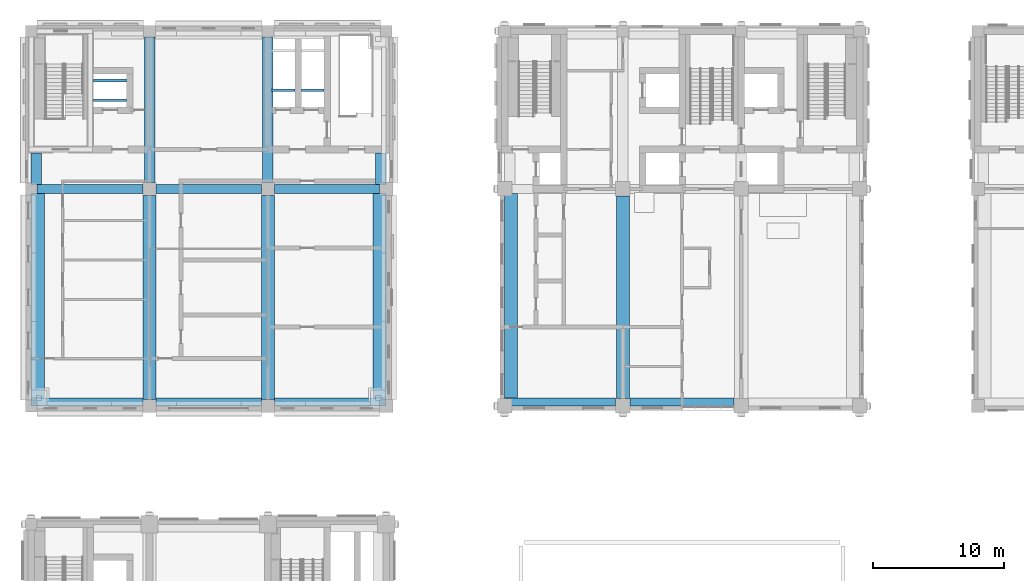
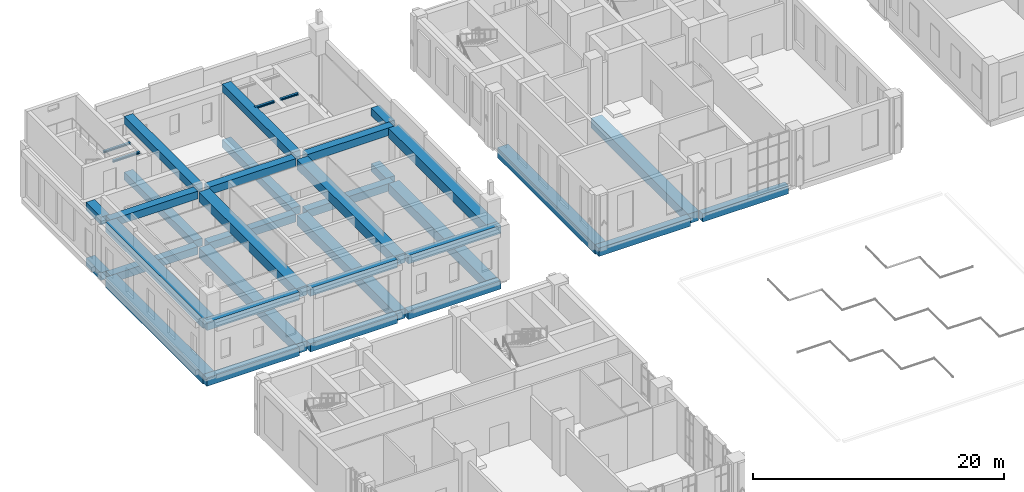
# One storey, part 4 of 37: 36 beams.
"""IFC4 building model written with IfcOpenShell, lengths in metres."""

from ifc_helpers import new_model, si_unit, direction, frame, origin, origin_2d, place, context, subcontext, project, spatial, rectangle, i_section, extrude, material, material_profile, profile_set, type_object, element, save


model = new_model("IFC4")

# Units and contexts
model_context = context("Model", 3, precision=1e-05, world=origin(), true_north=direction((0.0, 1.0)))
body_context = subcontext(model_context, "Body", "Model", "MODEL_VIEW")
ifc_project = project(units=[si_unit("LENGTHUNIT", "METRE"), si_unit("AREAUNIT", "SQUARE_METRE"), si_unit("VOLUMEUNIT", "CUBIC_METRE"), si_unit("PLANEANGLEUNIT", "RADIAN"), si_unit("MASSUNIT", "GRAM", prefix="KILO")], contexts=[model_context])

# Site, building, storey
site_placement = place(None, origin())
site = spatial("IfcSite", under=ifc_project, at=site_placement, CompositionType="ELEMENT")
building_placement = place(site_placement, origin())
building = spatial("IfcBuilding", under=site, at=building_placement, Name="Aurelan Courthouse", CompositionType="ELEMENT")
storey_placement = place(building_placement, frame((0.0, 0.0, 17.39990234375)))
storey = spatial("IfcBuildingStorey", under=building, at=storey_placement, Name="L03", CompositionType="ELEMENT", Elevation=17.39990234375)

# Beams
ifc_material_1 = material(Name="Steel S355", Category="steel")
ifc_material_profile_1 = material_profile(ifc_material_1, i_section(OverallWidth=0.199951171875, OverallDepth=0.18994140625, WebThickness=0.006591796875, FlangeThickness=0.010009765625, FilletRadius=0.01806640625, at=origin_2d()), Name="HEA 200")
ifc_profile_set_1 = profile_set([ifc_material_profile_1], Name="Steel S355")
beam_type_1 = type_object("IfcBeamType", Name="Hoist beam HEA 200", PredefinedType="BEAM", material=ifc_profile_set_1)
beam_1_placement = place(storey_placement, frame((18.25, 61.5, 5.05517578125), z_axis=(1.0, 0.0, 0.0), x_axis=(0.0, 1.0, 0.0)))
element("IfcBeam", 1, at=beam_1_placement, inside=storey, type_object=beam_type_1, Name="Hoist beam HB-V6-C1-1", PredefinedType="BEAM", context=body_context, shape_type="SweptSolid", body=[
    extrude(i_section(OverallWidth=0.199951171875, OverallDepth=0.18994140625, WebThickness=0.006591796875, FlangeThickness=0.010009765625, FilletRadius=0.01806640625, at=origin_2d()), origin(), (0.0, 0.0, 1.0), 1.800048828125),
])
beam_2_placement = place(storey_placement, frame((20.550048828125, 61.5, 5.05517578125), z_axis=(1.0, 0.0, 0.0), x_axis=(0.0, 1.0, 0.0)))
element("IfcBeam", 2, at=beam_2_placement, inside=storey, type_object=beam_type_1, Name="Hoist beam HB-V6-C2-1", PredefinedType="BEAM", context=body_context, shape_type="SweptSolid", body=[
    extrude(i_section(OverallWidth=0.199951171875, OverallDepth=0.18994140625, WebThickness=0.006591796875, FlangeThickness=0.010009765625, FilletRadius=0.01806640625, at=origin_2d()), origin(), (0.0, 0.0, 1.0), 1.699951171875),
])
for number, where, z_axis, x_axis, name in (
    (3, (4.75, 60.75, 5.05517578125), (1.0, 0.0, 0.0), (0.0, 1.0, 0.0), "Hoist beam HB-V6-S1-1"),
    (4, (4.75, 62.25, 5.05517578125), (1.0, 0.0, 0.0), (0.0, 1.0, 0.0), "Hoist beam HB-V6-S1-2"),
):
    element("IfcBeam", number, at=place(storey_placement, frame(where, z_axis=z_axis, x_axis=x_axis)), inside=storey, type_object=beam_type_1, Name=name, PredefinedType="BEAM", context=body_context, shape_type="SweptSolid", body=[
        extrude(i_section(OverallWidth=0.199951171875, OverallDepth=0.18994140625, WebThickness=0.006591796875, FlangeThickness=0.010009765625, FilletRadius=0.01806640625, at=origin_2d()), origin(), (0.0, 0.0, 1.0), 2.5),
    ])
ifc_material_2 = material(Name="Concrete C50", Category="concrete")
ifc_material_profile_2 = material_profile(ifc_material_2, rectangle(XDim=0.699951171875, YDim=0.75, at=origin_2d()), Name="RC 700 x 750")
ifc_profile_set_2 = profile_set([ifc_material_profile_2], Name="Concrete C50")
beam_type_2 = type_object("IfcBeamType", Name="PT beam 700 x 750", PredefinedType="BEAM", material=ifc_profile_set_2)
beam_3_placement = place(storey_placement, frame((0.449951171875, 54.0, -0.625), z_axis=(1.0, 0.0, 0.0), x_axis=(0.0, 1.0, 0.0)))
element("IfcBeam", 5, at=beam_3_placement, inside=storey, type_object=beam_type_2, Name="Beam EB-E-1-2", PredefinedType="BEAM", context=body_context, shape_type="SweptSolid", body=[
    extrude(rectangle(XDim=0.699951171875, YDim=0.75, at=origin_2d()), origin(), (0.0, 0.0, 1.0), 8.050048828125),
])
for number, where, z_axis, x_axis, name in (
    (6, (9.5, 54.0, -0.625), (1.0, 0.0, 0.0), (0.0, 1.0, 0.0), "Beam EB-E-2-3"),
    (7, (18.5, 54.0, -0.625), (1.0, 0.0, 0.0), (0.0, 1.0, 0.0), "Beam EB-E-3-4"),
):
    element("IfcBeam", number, at=place(storey_placement, frame(where, z_axis=z_axis, x_axis=x_axis)), inside=storey, type_object=beam_type_2, Name=name, PredefinedType="BEAM", context=body_context, shape_type="SweptSolid", body=[
        extrude(rectangle(XDim=0.699951171875, YDim=0.75, at=origin_2d()), origin(), (0.0, 0.0, 1.0), 8.0),
    ])
beam_4_placement = place(storey_placement, frame((0.449951171875, 54.0, 4.775146484375), z_axis=(1.0, 0.0, 0.0), x_axis=(0.0, 1.0, 0.0)))
element("IfcBeam", 8, at=beam_4_placement, inside=storey, type_object=beam_type_2, Name="Beam EB-E-1-2R", PredefinedType="BEAM", context=body_context, shape_type="SweptSolid", body=[
    extrude(rectangle(XDim=0.699951171875, YDim=0.75, at=origin_2d()), origin(), (0.0, 0.0, 1.0), 8.050048828125),
])
for number, where, z_axis, x_axis, name in (
    (9, (9.5, 54.0, 4.775146484375), (1.0, 0.0, 0.0), (0.0, 1.0, 0.0), "Beam EB-E-2-3R"),
    (10, (18.5, 54.0, 4.775146484375), (1.0, 0.0, 0.0), (0.0, 1.0, 0.0), "Beam EB-E-3-4R"),
):
    element("IfcBeam", number, at=place(storey_placement, frame(where, z_axis=z_axis, x_axis=x_axis)), inside=storey, type_object=beam_type_2, Name=name, PredefinedType="BEAM", context=body_context, shape_type="SweptSolid", body=[
        extrude(rectangle(XDim=0.699951171875, YDim=0.75, at=origin_2d()), origin(), (0.0, 0.0, 1.0), 8.0),
    ])
ifc_material_profile_3 = material_profile(ifc_material_2, rectangle(XDim=1.0, YDim=0.949951171875, at=origin_2d()), Name="RC 1000 x 950")
ifc_profile_set_3 = profile_set([ifc_material_profile_3], Name="Concrete C50")
beam_type_3 = type_object("IfcBeamType", Name="PT girder 1000 x 950", PredefinedType="BEAM", material=ifc_profile_set_3)
beam_5_placement = place(storey_placement, frame((36.5, 38.10009765625, -0.724853515625), z_axis=(0.0, 1.0, 0.0), x_axis=(-1.0, 0.0, 0.0)))
element("IfcBeam", 11, at=beam_5_placement, inside=storey, type_object=beam_type_3, Name="Girder GB-5DE-E", PredefinedType="BEAM", context=body_context, shape_type="SweptSolid", body=[
    extrude(rectangle(XDim=1.0, YDim=0.949951171875, at=origin_2d()), origin(), (0.0, 0.0, 1.0), 15.5498046875),
])
beam_6_placement = place(storey_placement, frame((45.0, 38.050048828125, -0.724853515625), z_axis=(0.0, 1.0, 0.0), x_axis=(-1.0, 0.0, 0.0)))
element("IfcBeam", 12, at=beam_6_placement, inside=storey, type_object=beam_type_3, Name="Girder GB-6DE", PredefinedType="BEAM", context=body_context, shape_type="SweptSolid", body=[
    extrude(rectangle(XDim=1.0, YDim=0.949951171875, at=origin_2d()), origin(), (0.0, 0.0, 1.0), 15.39990234375),
])
beam_7_placement = place(storey_placement, frame((0.5, 38.10009765625, -0.724853515625), z_axis=(0.0, 1.0, 0.0), x_axis=(-1.0, 0.0, 0.0)))
element("IfcBeam", 13, at=beam_7_placement, inside=storey, type_object=beam_type_3, Name="Girder GB-1DE-E", PredefinedType="BEAM", context=body_context, shape_type="SweptSolid", body=[
    extrude(rectangle(XDim=1.0, YDim=0.949951171875, at=origin_2d()), origin(), (0.0, 0.0, 1.0), 15.5498046875),
])
for number, where, z_axis, x_axis, name in (
    (14, (9.0, 38.0, -0.724853515625), (0.0, 1.0, 0.0), (-1.0, 0.0, 0.0), "Girder GB-2DE"),
    (15, (18.0, 38.0, -0.724853515625), (0.0, 1.0, 0.0), (-1.0, 0.0, 0.0), "Girder GB-3DE"),
):
    element("IfcBeam", number, at=place(storey_placement, frame(where, z_axis=z_axis, x_axis=x_axis)), inside=storey, type_object=beam_type_3, Name=name, PredefinedType="BEAM", context=body_context, shape_type="SweptSolid", body=[
        extrude(rectangle(XDim=1.0, YDim=0.949951171875, at=origin_2d()), origin(), (0.0, 0.0, 1.0), 15.5),
    ])
for number, where, z_axis, x_axis, name in (
    (16, (26.5, 38.10009765625, -0.724853515625), (0.0, 1.0, 0.0), (-1.0, 0.0, 0.0), "Girder GB-4DE-E"),
    (17, (0.5, 38.10009765625, 4.675048828125), (0.0, 1.0, 0.0), (-1.0, 0.0, 0.0), "Girder GB-1DEER"),
):
    element("IfcBeam", number, at=place(storey_placement, frame(where, z_axis=z_axis, x_axis=x_axis)), inside=storey, type_object=beam_type_3, Name=name, PredefinedType="BEAM", context=body_context, shape_type="SweptSolid", body=[
        extrude(rectangle(XDim=1.0, YDim=0.949951171875, at=origin_2d()), origin(), (0.0, 0.0, 1.0), 15.5498046875),
    ])
for number, where, z_axis, x_axis, name in (
    (18, (9.0, 38.0, 4.675048828125), (0.0, 1.0, 0.0), (-1.0, 0.0, 0.0), "Girder GB-2DER"),
    (19, (18.0, 38.0, 4.675048828125), (0.0, 1.0, 0.0), (-1.0, 0.0, 0.0), "Girder GB-3DER"),
):
    element("IfcBeam", number, at=place(storey_placement, frame(where, z_axis=z_axis, x_axis=x_axis)), inside=storey, type_object=beam_type_3, Name=name, PredefinedType="BEAM", context=body_context, shape_type="SweptSolid", body=[
        extrude(rectangle(XDim=1.0, YDim=0.949951171875, at=origin_2d()), origin(), (0.0, 0.0, 1.0), 15.5),
    ])
beam_8_placement = place(storey_placement, frame((26.5, 38.10009765625, 4.675048828125), z_axis=(0.0, 1.0, 0.0), x_axis=(-1.0, 0.0, 0.0)))
element("IfcBeam", 20, at=beam_8_placement, inside=storey, type_object=beam_type_3, Name="Girder GB-4DEER", PredefinedType="BEAM", context=body_context, shape_type="SweptSolid", body=[
    extrude(rectangle(XDim=1.0, YDim=0.949951171875, at=origin_2d()), origin(), (0.0, 0.0, 1.0), 15.5498046875),
])
ifc_material_profile_4 = material_profile(ifc_material_2, rectangle(XDim=0.800048828125, YDim=0.75, at=origin_2d()), Name="RC 800 x 750")
ifc_profile_set_4 = profile_set([ifc_material_profile_4], Name="Concrete C50")
beam_type_4 = type_object("IfcBeamType", Name="PT girder 800 x 750", PredefinedType="BEAM", material=ifc_profile_set_4)
beam_9_placement = place(storey_placement, frame((0.39990234375, 54.35009765625, -0.625), z_axis=(0.0, 1.0, 0.0), x_axis=(-1.0, 0.0, 0.0)))
element("IfcBeam", 21, at=beam_9_placement, inside=storey, type_object=beam_type_4, Name="Girder GB-1EF-E", PredefinedType="BEAM", context=body_context, shape_type="SweptSolid", body=[
    extrude(rectangle(XDim=0.800048828125, YDim=0.75, at=origin_2d()), origin(), (0.0, 0.0, 1.0), 2.39990234375),
])
for number, where, z_axis, x_axis, name in (
    (22, (9.0, 54.5, -0.625), (0.0, 1.0, 0.0), (-1.0, 0.0, 0.0), "Girder GB-2EF"),
    (23, (18.0, 54.5, -0.625), (0.0, 1.0, 0.0), (-1.0, 0.0, 0.0), "Girder GB-3EF"),
):
    element("IfcBeam", number, at=place(storey_placement, frame(where, z_axis=z_axis, x_axis=x_axis)), inside=storey, type_object=beam_type_4, Name=name, PredefinedType="BEAM", context=body_context, shape_type="SweptSolid", body=[
        extrude(rectangle(XDim=0.800048828125, YDim=0.75, at=origin_2d()), origin(), (0.0, 0.0, 1.0), 11.050048828125),
    ])
for number, where, z_axis, x_axis, name in (
    (24, (26.60009765625, 54.35009765625, -0.625), (0.0, 1.0, 0.0), (-1.0, 0.0, 0.0), "Girder GB-4EF-E"),
    (25, (0.39990234375, 54.35009765625, 4.775146484375), (0.0, 1.0, 0.0), (-1.0, 0.0, 0.0), "Girder GB-1EFER"),
):
    element("IfcBeam", number, at=place(storey_placement, frame(where, z_axis=z_axis, x_axis=x_axis)), inside=storey, type_object=beam_type_4, Name=name, PredefinedType="BEAM", context=body_context, shape_type="SweptSolid", body=[
        extrude(rectangle(XDim=0.800048828125, YDim=0.75, at=origin_2d()), origin(), (0.0, 0.0, 1.0), 2.39990234375),
    ])
for number, where, z_axis, x_axis, name in (
    (26, (9.0, 54.5, 4.775146484375), (0.0, 1.0, 0.0), (-1.0, 0.0, 0.0), "Girder GB-2EFR"),
    (27, (18.0, 54.5, 4.775146484375), (0.0, 1.0, 0.0), (-1.0, 0.0, 0.0), "Girder GB-3EFR"),
):
    element("IfcBeam", number, at=place(storey_placement, frame(where, z_axis=z_axis, x_axis=x_axis)), inside=storey, type_object=beam_type_4, Name=name, PredefinedType="BEAM", context=body_context, shape_type="SweptSolid", body=[
        extrude(rectangle(XDim=0.800048828125, YDim=0.75, at=origin_2d()), origin(), (0.0, 0.0, 1.0), 11.050048828125),
    ])
beam_10_placement = place(storey_placement, frame((26.60009765625, 54.35009765625, 4.775146484375), z_axis=(0.0, 1.0, 0.0), x_axis=(-1.0, 0.0, 0.0)))
element("IfcBeam", 28, at=beam_10_placement, inside=storey, type_object=beam_type_4, Name="Girder GB-4EFER", PredefinedType="BEAM", context=body_context, shape_type="SweptSolid", body=[
    extrude(rectangle(XDim=0.800048828125, YDim=0.75, at=origin_2d()), origin(), (0.0, 0.0, 1.0), 2.39990234375),
])
ifc_material_profile_5 = material_profile(ifc_material_2, rectangle(XDim=0.60009765625, YDim=0.800048828125, at=origin_2d()), Name="RC 600 x 800")
ifc_profile_set_5 = profile_set([ifc_material_profile_5], Name="Concrete C50")
beam_type_5 = type_object("IfcBeamType", Name="RC spandrel beam 600 x 800", PredefinedType="SPANDREL", material=ifc_profile_set_5)
beam_11_placement = place(storey_placement, frame((36.0, 37.800048828125, -0.64990234375), z_axis=(1.0, 0.0, 0.0), x_axis=(0.0, 1.0, 0.0)))
element("IfcBeam", 29, at=beam_11_placement, inside=storey, type_object=beam_type_5, Name="Spandrel beam SB-D-5-6", PredefinedType="SPANDREL", context=body_context, shape_type="SweptSolid", body=[
    extrude(rectangle(XDim=0.60009765625, YDim=0.800048828125, at=origin_2d()), origin(), (0.0, 0.0, 1.0), 8.449951171875),
])
beam_12_placement = place(storey_placement, frame((45.550048828125, 37.800048828125, -0.64990234375), z_axis=(1.0, 0.0, 0.0), x_axis=(0.0, 1.0, 0.0)))
element("IfcBeam", 30, at=beam_12_placement, inside=storey, type_object=beam_type_5, Name="Spandrel beam SB-D-6-7", PredefinedType="SPANDREL", context=body_context, shape_type="SweptSolid", body=[
    extrude(rectangle(XDim=0.60009765625, YDim=0.800048828125, at=origin_2d()), origin(), (0.0, 0.0, 1.0), 7.89990234375),
])
beam_13_placement = place(storey_placement, frame((0.0, 37.800048828125, -0.64990234375), z_axis=(1.0, 0.0, 0.0), x_axis=(0.0, 1.0, 0.0)))
element("IfcBeam", 31, at=beam_13_placement, inside=storey, type_object=beam_type_5, Name="Spandrel beam SB-D-1-2", PredefinedType="SPANDREL", context=body_context, shape_type="SweptSolid", body=[
    extrude(rectangle(XDim=0.60009765625, YDim=0.800048828125, at=origin_2d()), origin(), (0.0, 0.0, 1.0), 8.5),
])
beam_14_placement = place(storey_placement, frame((9.5, 37.800048828125, -0.64990234375), z_axis=(1.0, 0.0, 0.0), x_axis=(0.0, 1.0, 0.0)))
element("IfcBeam", 32, at=beam_14_placement, inside=storey, type_object=beam_type_5, Name="Spandrel beam SB-D-2-3", PredefinedType="SPANDREL", context=body_context, shape_type="SweptSolid", body=[
    extrude(rectangle(XDim=0.60009765625, YDim=0.800048828125, at=origin_2d()), origin(), (0.0, 0.0, 1.0), 8.0),
])
for number, where, z_axis, x_axis, name in (
    (33, (18.5, 37.800048828125, -0.64990234375), (1.0, 0.0, 0.0), (0.0, 1.0, 0.0), "Spandrel beam SB-D-3-4"),
    (34, (0.0, 37.800048828125, 4.75), (1.0, 0.0, 0.0), (0.0, 1.0, 0.0), "Spandrel beam SB-D-1-2R"),
):
    element("IfcBeam", number, at=place(storey_placement, frame(where, z_axis=z_axis, x_axis=x_axis)), inside=storey, type_object=beam_type_5, Name=name, PredefinedType="SPANDREL", context=body_context, shape_type="SweptSolid", body=[
        extrude(rectangle(XDim=0.60009765625, YDim=0.800048828125, at=origin_2d()), origin(), (0.0, 0.0, 1.0), 8.5),
    ])
beam_15_placement = place(storey_placement, frame((9.5, 37.800048828125, 4.75), z_axis=(1.0, 0.0, 0.0), x_axis=(0.0, 1.0, 0.0)))
element("IfcBeam", 35, at=beam_15_placement, inside=storey, type_object=beam_type_5, Name="Spandrel beam SB-D-2-3R", PredefinedType="SPANDREL", context=body_context, shape_type="SweptSolid", body=[
    extrude(rectangle(XDim=0.60009765625, YDim=0.800048828125, at=origin_2d()), origin(), (0.0, 0.0, 1.0), 8.0),
])
beam_16_placement = place(storey_placement, frame((18.5, 37.800048828125, 4.75), z_axis=(1.0, 0.0, 0.0), x_axis=(0.0, 1.0, 0.0)))
element("IfcBeam", 36, at=beam_16_placement, inside=storey, type_object=beam_type_5, Name="Spandrel beam SB-D-3-4R", PredefinedType="SPANDREL", context=body_context, shape_type="SweptSolid", body=[
    extrude(rectangle(XDim=0.60009765625, YDim=0.800048828125, at=origin_2d()), origin(), (0.0, 0.0, 1.0), 8.5),
])

save(model, "model.ifc")
